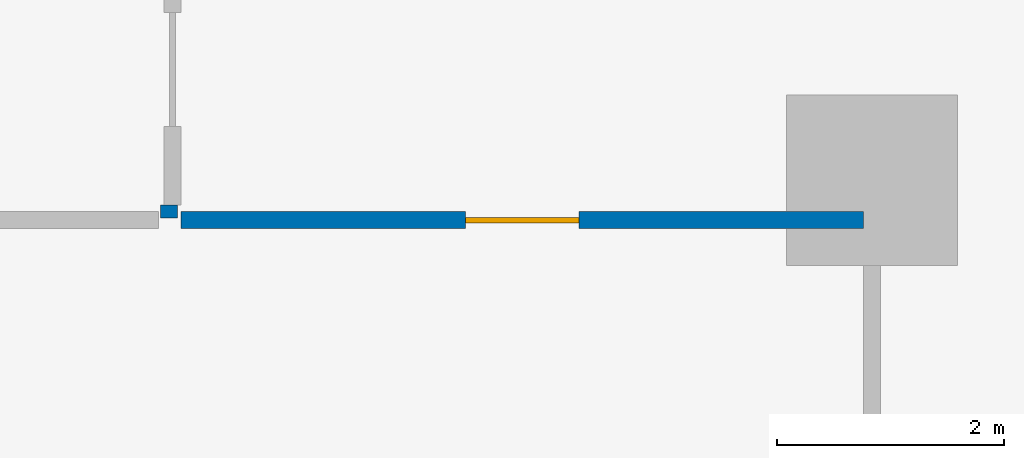
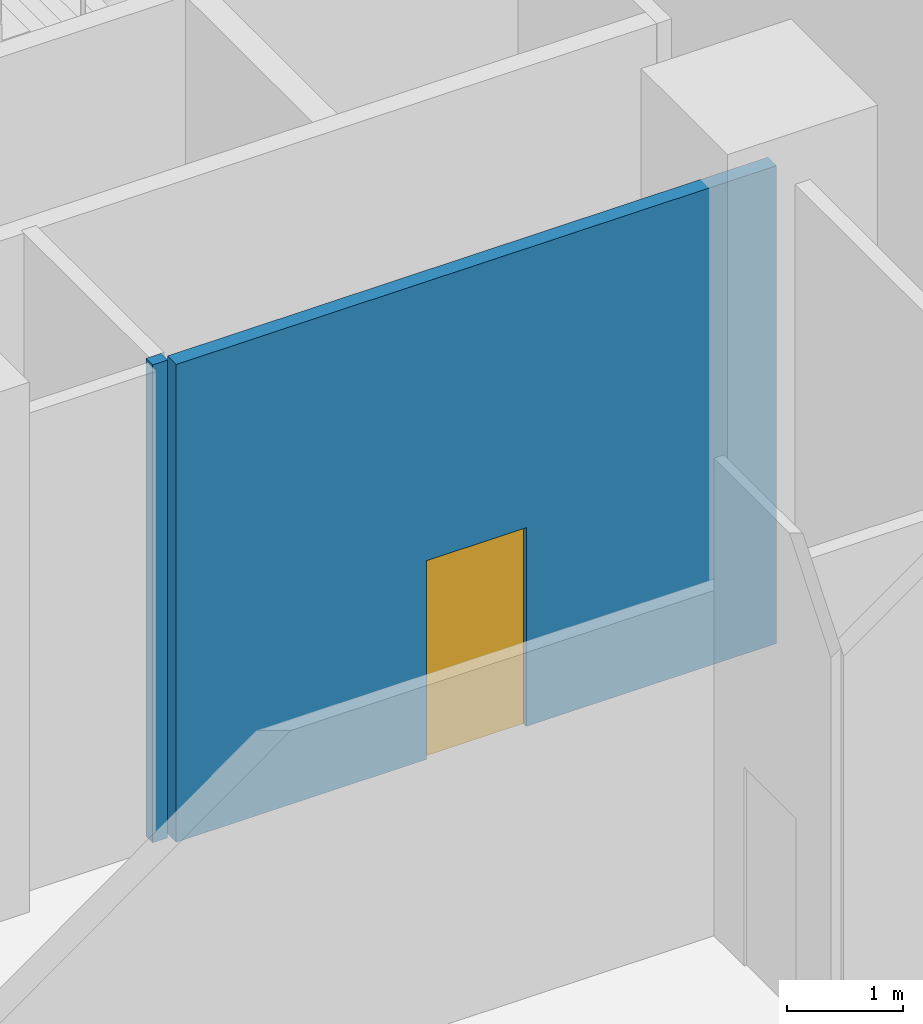
# One storey, part 5 of 24: 2 walls, 1 door, 1 opening.
"""IFC4 building model written with IfcOpenShell, lengths in metres."""

import ifcopenshell
import ifcopenshell.guid

model = None  # the IFC model being written
_history = None  # IfcOwnerHistory: only IFC2X3 demands one
_inside = {}  # id of a spatial element -> (the spatial element, [elements in it])
_under = {}  # id of a project, library or spatial element -> (it, [spatial elements below it])
_declared = {}  # id of a project -> (the project, [libraries it declares])
_typed = {}  # id of a type object -> (the type object, [elements of that type])
_made_of = {}  # id of a material, layer set ... -> (it, [elements and type objects made of it])


def new_model(schema):
    """Start an empty IFC model of exactly this schema.

    Asked for "IFC4X3", IfcOpenShell would pick the latest addendum, in which some entities
    have other attributes; the version numbers below select the first issue.
    IFC2X3 requires an IfcOwnerHistory on every rooted entity: one is made here for all.
    """
    global model, _history
    if schema == "IFC4X3":
        model = ifcopenshell.file(schema_version=(4, 3, 0, 0))
    else:
        model = ifcopenshell.file(schema=schema)
    _inside.clear()
    _under.clear()
    _declared.clear()
    _typed.clear()
    _made_of.clear()
    _history = None
    if model.schema == "IFC2X3":
        org = make("IfcOrganization", Name="unknown")
        user = make(
            "IfcPersonAndOrganization",
            ThePerson=make("IfcPerson", FamilyName="unknown"),
            TheOrganization=org,
        )
        app = make(
            "IfcApplication",
            ApplicationDeveloper=org,
            Version="unknown",
            ApplicationFullName="unknown",
            ApplicationIdentifier="unknown",
        )
        _history = make(
            "IfcOwnerHistory",
            OwningUser=user,
            OwningApplication=app,
            ChangeAction="ADDED",
            CreationDate=0,
        )
    return model


def make(cls, **values):
    """One entity of the class cls with the attributes given. An attribute that is None is left unset."""
    return model.create_entity(
        cls, **{name: value for name, value in values.items() if value is not None}
    )


def rooted(cls, **values):
    """An entity with a GlobalId (a new one), such as an element, a storey or a relation."""
    return make(cls, GlobalId=ifcopenshell.guid.new(), OwnerHistory=_history, **values)


def si_unit(unit_type, name, prefix=None):
    """IfcSIUnit, for example si_unit("LENGTHUNIT", "METRE", prefix="MILLI")."""
    return make("IfcSIUnit", UnitType=unit_type, Prefix=prefix, Name=name)


def assignment(units):
    """IfcUnitAssignment: the units of a project."""
    return None if units is None else make("IfcUnitAssignment", Units=units)


def point(xyz):
    """IfcCartesianPoint."""
    return None if xyz is None else make("IfcCartesianPoint", Coordinates=xyz)


def direction(xyz):
    """IfcDirection."""
    return None if xyz is None else make("IfcDirection", DirectionRatios=xyz)


def frame(location, z_axis=None, x_axis=None):
    """IfcAxis2Placement3D, a coordinate frame: its origin and axes. An axis left out is left unset."""
    return make(
        "IfcAxis2Placement3D",
        Location=point(location),
        Axis=direction(z_axis),
        RefDirection=direction(x_axis),
    )


def frame_2d(location, x_axis=None):
    """IfcAxis2Placement2D, a coordinate frame in the plane: its origin and x axis."""
    return make(
        "IfcAxis2Placement2D", Location=point(location), RefDirection=direction(x_axis)
    )


def origin():
    """The frame at (0, 0, 0) with its axes left unset."""
    return frame((0.0, 0.0, 0.0))


def place(relative_to, where):
    """IfcLocalPlacement: puts the frame where relative to a parent placement (None: the world)."""
    return make(
        "IfcLocalPlacement", PlacementRelTo=relative_to, RelativePlacement=where
    )


def context(
    kind, dimensions, precision=None, world=None, true_north=None, identifier=None
):
    """IfcGeometricRepresentationContext, for example the 3D "Model" context."""
    return make(
        "IfcGeometricRepresentationContext",
        ContextIdentifier=identifier,
        ContextType=kind,
        CoordinateSpaceDimension=dimensions,
        Precision=precision,
        WorldCoordinateSystem=world,
        TrueNorth=true_north,
    )


def subcontext(parent, identifier, kind, view, scale=None):
    """IfcGeometricRepresentationSubContext, for example "Body" below "Model"."""
    return make(
        "IfcGeometricRepresentationSubContext",
        ContextIdentifier=identifier,
        ContextType=kind,
        ParentContext=parent,
        TargetScale=scale,
        TargetView=view,
    )


def project(units=None, contexts=None):
    """IfcProject with its units and contexts."""
    return rooted(
        "IfcProject",
        Name="project",
        RepresentationContexts=contexts,
        UnitsInContext=assignment(units),
    )


def spatial(cls, under=None, at=None, **own):
    """A site, building, storey or space (cls), placed at a placement, below another one or the project."""
    s = rooted(cls, ObjectPlacement=at, **own)
    if under is not None:
        _under.setdefault(under.id(), (under, []))[1].append(s)
    return s


def profile(cls, at=None, kind="AREA", **sizes):
    """A parametric profile (cls). Its sizes go by their IFC names, for example OverallWidth=200.0."""
    return make(cls, ProfileType=kind, Position=at, **sizes)


def rectangle(**sizes):
    """IfcRectangleProfileDef."""
    return profile("IfcRectangleProfileDef", **sizes)


def extrude(swept, where, along, depth):
    """IfcExtrudedAreaSolid: the profile swept, set in the frame where, extruded along a direction by depth."""
    return make(
        "IfcExtrudedAreaSolid",
        SweptArea=swept,
        Position=where,
        ExtrudedDirection=direction(along),
        Depth=depth,
    )


def shape(context_of_items, identifier, shape_type, items):
    """IfcShapeRepresentation: the items that make up one representation, for example the "Body"."""
    return make(
        "IfcShapeRepresentation",
        ContextOfItems=context_of_items,
        RepresentationIdentifier=identifier,
        RepresentationType=shape_type,
        Items=items,
    )


def material(Name=None, Category=None):
    """IfcMaterial."""
    return make("IfcMaterial", Name=Name, Category=Category)


def layer(
    of_material, thickness, ventilated=None, Name=None, Category=None, Priority=None
):
    """IfcMaterialLayer: one layer of a wall or slab, of a material (None: an air gap)."""
    return make(
        "IfcMaterialLayer",
        Material=of_material,
        LayerThickness=thickness,
        IsVentilated=ventilated,
        Name=Name,
        Category=Category,
        Priority=Priority,
    )


def layer_set(layers, Name=None):
    """IfcMaterialLayerSet."""
    return make("IfcMaterialLayerSet", MaterialLayers=layers, LayerSetName=Name)


def made_of(thing, what):
    """Note that an element or type object is made of a material, layer set ...; save() writes the relation."""
    if what is not None:
        _made_of.setdefault(what.id(), (what, []))[1].append(thing)
    return thing


def type_object(cls, material=None, **own):
    """A type object (cls), such as IfcWallType, which elements share."""
    return made_of(rooted(cls, **own), material)


def element(
    cls,
    number,
    at=None,
    inside=None,
    cuts=None,
    type_object=None,
    material=None,
    context=None,
    identifier="Body",
    shape_type=None,
    held_by="IfcProductDefinitionShape",
    body=None,
    shapes=None,
    **own,
):
    """One element of the class cls, such as IfcWall. Its Tag is "e" and its number.

    at: its placement. inside: the storey or other place that contains it. cuts: it is an
    opening in that element (IfcRelVoidsElement). A single representation is given by context,
    identifier, shape_type and body (its items); several are given by shapes. held_by: the class
    of the entity that holds the representations. save() writes the other relations.
    """
    e = rooted(cls, Tag="e%d" % number, ObjectPlacement=at, **own)
    if body is not None:
        shapes = [shape(context, identifier, shape_type, body)]
    if shapes is not None:
        e.Representation = make(held_by, Representations=shapes)
    if inside is not None:
        _inside.setdefault(inside.id(), (inside, []))[1].append(e)
    if cuts is not None:
        rooted(
            "IfcRelVoidsElement", RelatingBuildingElement=cuts, RelatedOpeningElement=e
        )
    if type_object is not None:
        _typed.setdefault(type_object.id(), (type_object, []))[1].append(e)
    return made_of(e, material)


def fill(opening, filler):
    """IfcRelFillsElement: the door or window that sits in an opening."""
    return rooted(
        "IfcRelFillsElement",
        RelatingOpeningElement=opening,
        RelatedBuildingElement=filler,
    )


def aggregate(whole, parts):
    """IfcRelAggregates: a whole, such as a stair, and the parts it consists of."""
    return rooted("IfcRelAggregates", RelatingObject=whole, RelatedObjects=parts)


def save(model, path):
    """Write the relations noted so far, then the file.

    IfcRelAggregates (storeys below a building ...), IfcRelContainedInSpatialStructure (elements
    in a storey), IfcRelDefinesByType, IfcRelAssociatesMaterial and IfcRelDeclares: one each for
    every whole, place, type object, material and project.
    """
    for whole, parts in _under.values():
        aggregate(whole, parts)
    for where, things in _inside.values():
        rooted(
            "IfcRelContainedInSpatialStructure",
            RelatedElements=things,
            RelatingStructure=where,
        )
    for kind, things in _typed.values():
        rooted("IfcRelDefinesByType", RelatedObjects=things, RelatingType=kind)
    for what, things in _made_of.values():
        rooted("IfcRelAssociatesMaterial", RelatedObjects=things, RelatingMaterial=what)
    for by, libraries in _declared.values():
        rooted("IfcRelDeclares", RelatingContext=by, RelatedDefinitions=libraries)
    model.write(path)


model = new_model("IFC4")

# Units and contexts
model_context = context("Model", 3, precision=1e-05, world=origin(), true_north=direction((0.0, 1.0)))
body_context = subcontext(model_context, "Body", "Model", "MODEL_VIEW")
ifc_project = project(units=[si_unit("LENGTHUNIT", "METRE"), si_unit("AREAUNIT", "SQUARE_METRE"), si_unit("VOLUMEUNIT", "CUBIC_METRE"), si_unit("PLANEANGLEUNIT", "RADIAN"), si_unit("MASSUNIT", "GRAM", prefix="KILO")], contexts=[model_context])

# Site, building, storey
site_placement = place(None, origin())
site = spatial("IfcSite", under=ifc_project, at=site_placement, CompositionType="ELEMENT")
building_placement = place(site_placement, origin())
building = spatial("IfcBuilding", under=site, at=building_placement, Name="Kawkab Arch Medical Tower", CompositionType="ELEMENT")
storey_placement = place(building_placement, frame((0.0, 0.0, 18.199951171875)))
storey = spatial("IfcBuildingStorey", under=building, at=storey_placement, Name="L04", CompositionType="ELEMENT", Elevation=18.199951171875)

# Wall, opening, door
ifc_material_1 = material(Name="Gypsum board partition on steel studs, mineral wool", Category="steel")
ifc_layer = layer(ifc_material_1, 0.14990234375)
ifc_layer_set = layer_set([ifc_layer], Name="Gypsum board partition on steel studs, mineral wool")
wall_type = type_object("IfcWallType", Name="Partition 150", PredefinedType="PARTITIONING", material=ifc_layer_set)
wall_1_placement = place(storey_placement, frame((2.324951171875, -42.35009765625, 0.0), z_axis=(0.0, 0.0, 1.0), x_axis=(1.0, 0.0, 0.0)))
wall_1 = element("IfcWall", 1, at=wall_1_placement, inside=storey, type_object=wall_type, Name="Partition 150 w063", PredefinedType="PARTITIONING", context=body_context, shape_type="SweptSolid", body=[
    extrude(rectangle(XDim=6.0, YDim=0.14990234375, at=frame_2d((3.0, 0.0))), origin(), (0.0, 0.0, 1.0), 5.050048828125),
])
opening_placement = place(wall_1_placement, frame((2.5, 0.0, 0.0)))
opening = element("IfcOpeningElement", 2, at=opening_placement, cuts=wall_1, Name="Opening P04-028", PredefinedType="OPENING", context=body_context, shape_type="SweptSolid", body=[
    extrude(rectangle(XDim=1.0, YDim=2.10009765625, at=frame_2d((0.5, 1.050048828125))), frame((0.0, 0.0849609375, 0.0), z_axis=(0.0, -1.0, 0.0), x_axis=(1.0, 0.0, 0.0)), (0.0, 0.0, 1.0), 0.169921875),
])
ifc_material_2 = material(Name="Hollow metal door leaf")
door_type = type_object("IfcDoorType", Name="Single door 1000x2100 FD30S", OperationType="NOTDEFINED", PredefinedType="DOOR", material=ifc_material_2)
door_placement = place(opening_placement, origin())
door = element("IfcDoor", 3, at=door_placement, inside=storey, type_object=door_type, Name="Door P04-028", OperationType="SINGLE_SWING_RIGHT", OverallHeight=2.10009765625, OverallWidth=1.0, PredefinedType="DOOR", context=body_context, shape_type="SweptSolid", body=[
    extrude(rectangle(XDim=1.0, YDim=2.10009765625, at=frame_2d((0.5, 1.050048828125))), frame((0.0, 0.02490234375, 0.0), z_axis=(0.0, -1.0, 0.0), x_axis=(1.0, 0.0, 0.0)), (0.0, 0.0, 1.0), 0.050048828125),
])
fill(opening, door)

# Wall
wall_2_placement = place(storey_placement, frame((2.219970703125, -42.330078125, 0.0), z_axis=(0.0, 0.0, 1.0), x_axis=(0.0, 1.0, 0.0)))
element("IfcWall", 4, at=wall_2_placement, inside=storey, type_object=wall_type, Name="Partition 150 w089", PredefinedType="PARTITIONING", context=body_context, shape_type="SweptSolid", body=[
    extrude(rectangle(XDim=0.114990234375, YDim=0.14990234375, at=frame_2d((0.0576171875, 0.0))), origin(), (0.0, 0.0, 1.0), 5.050048828125),
])

save(model, "model.ifc")
